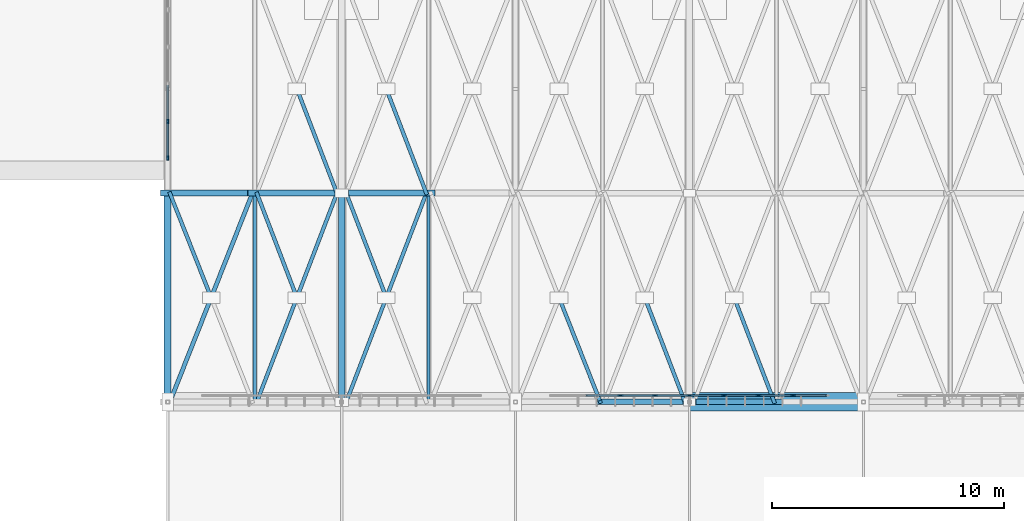
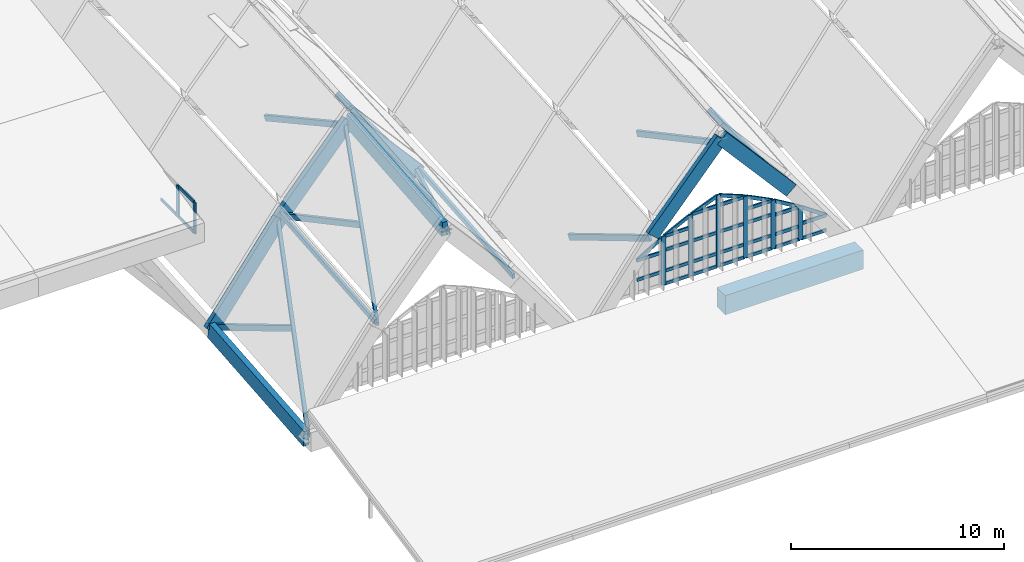
# One storey, part 24 of 93: 54 members, 8 beams, 2 elements without a shape of their own.
"""IFC4 building model written with IfcOpenShell, lengths in metres."""

from ifc_helpers import new_model, si_unit, direction, frame, origin, origin_2d, place, context, subcontext, project, spatial, rectangle, extrude, material, material_profile, profile_set, type_object, element, aggregate, save


model = new_model("IFC4")

# Units and contexts
model_context = context("Model", 3, precision=1e-05, world=origin(), true_north=direction((0.0, 1.0)))
body_context = subcontext(model_context, "Body", "Model", "MODEL_VIEW")
ifc_project = project(units=[si_unit("LENGTHUNIT", "METRE"), si_unit("AREAUNIT", "SQUARE_METRE"), si_unit("VOLUMEUNIT", "CUBIC_METRE"), si_unit("PLANEANGLEUNIT", "RADIAN"), si_unit("MASSUNIT", "GRAM", prefix="KILO")], contexts=[model_context])

# Site, building, storey
site_placement = place(None, origin())
site = spatial("IfcSite", under=ifc_project, at=site_placement, CompositionType="ELEMENT")
building_placement = place(site_placement, origin())
building = spatial("IfcBuilding", under=site, at=building_placement, Name="Vourika Railside Aquatics Centre", CompositionType="ELEMENT")
storey_placement = place(building_placement, frame((0.0, 0.0, 21.89990234375)))
storey = spatial("IfcBuildingStorey", under=building, at=storey_placement, Name="Roof", CompositionType="ELEMENT", Elevation=21.89990234375)

# Beams
ifc_material_1 = material(Name="Glulam GL32h", Category="wood")
ifc_material_profile_1 = material_profile(ifc_material_1, rectangle(XDim=0.239990234375, YDim=0.719970703125, at=origin_2d()), Name="GL32h 240x720")
ifc_profile_set_1 = profile_set([ifc_material_profile_1], Name="Glulam GL32h")
beam_type_1 = type_object("IfcBeamType", Name="BM-GL-ARCH-240x720", PredefinedType="BEAM", material=ifc_profile_set_1)
for number, where, z_axis, x_axis, name in (
    (1, (54.75, 12.0, -6.599853515625), (0.657258623263, 0.0, 0.75366511273), (0.0, 1.0, 0.0), "Pointed Glulam Vault Arch Rib GAR-0036"),
    (2, (58.5, 12.0, -2.2998046875), (0.657258623263, 0.0, -0.75366511273), (0.0, 1.0, 0.0), "Pointed Glulam Vault Arch Rib GAR-0037"),
):
    element("IfcBeam", number, at=place(storey_placement, frame(where, z_axis=z_axis, x_axis=x_axis)), inside=storey, type_object=beam_type_1, Name=name, PredefinedType="BEAM", context=body_context, shape_type="SweptSolid", body=[
        extrude(rectangle(XDim=0.239990234375, YDim=0.719970703125, at=origin_2d()), origin(), (0.0, 0.0, 1.0), 5.70556640625),
    ])
ifc_material_profile_2 = material_profile(ifc_material_1, rectangle(XDim=0.260009765625, YDim=0.760009765625, at=origin_2d()), Name="GL32h 260x760")
ifc_profile_set_2 = profile_set([ifc_material_profile_2], Name="Glulam GL32h")
beam_type_2 = type_object("IfcBeamType", Name="BM-GL-ARCH-260x760", PredefinedType="BEAM", material=ifc_profile_set_2)
beam_1_placement = place(storey_placement, frame((36.0, 21.0, -10.89990234375), z_axis=(0.592383087934, 0.0, 0.805656426233), x_axis=(0.0, 1.0, 0.0)))
element("IfcBeam", 3, at=beam_1_placement, inside=storey, type_object=beam_type_2, Name="Pointed Glulam Vault Arch Rib GAR-0005", PredefinedType="BEAM", context=body_context, shape_type="SweptSolid", body=[
    extrude(rectangle(XDim=0.260009765625, YDim=0.760009765625, at=origin_2d()), origin(), (0.0, 0.0, 1.0), 6.330322265625),
])
for number, where, z_axis, x_axis, name in (
    (4, (39.75, 21.0, -5.7998046875), (0.657279819973, 0.0, 0.753646626912), (0.0, 1.0, 0.0), "Pointed Glulam Vault Arch Rib GAR-0006"),
    (5, (43.5, 21.0, -1.5), (0.657279819973, 0.0, -0.753646626912), (0.0, 1.0, 0.0), "Pointed Glulam Vault Arch Rib GAR-0007"),
):
    element("IfcBeam", number, at=place(storey_placement, frame(where, z_axis=z_axis, x_axis=x_axis)), inside=storey, type_object=beam_type_2, Name=name, PredefinedType="BEAM", context=body_context, shape_type="SweptSolid", body=[
        extrude(rectangle(XDim=0.260009765625, YDim=0.760009765625, at=origin_2d()), origin(), (0.0, 0.0, 1.0), 5.705322265625),
    ])
ifc_material_profile_3 = material_profile(ifc_material_1, rectangle(XDim=0.280029296875, YDim=0.840087890625, at=origin_2d()), Name="GL32h 280x840")
ifc_profile_set_3 = profile_set([ifc_material_profile_3], Name="Glulam GL32h")
beam_type_3 = type_object("IfcBeamType", Name="BM-GL-RIDGE-280x840", PredefinedType="BEAM", material=ifc_profile_set_3)
beam_2_placement = place(storey_placement, frame((43.5, 12.0, -2.2998046875), z_axis=(0.0, 0.996074546839, 0.088518343518), x_axis=(-1.0, 0.0, 0.0)))
element("IfcBeam", 6, at=beam_2_placement, inside=storey, type_object=beam_type_3, Name="Vault Pointed Ridge Beam GRB-0029", PredefinedType="BEAM", context=body_context, shape_type="SweptSolid", body=[
    extrude(rectangle(XDim=0.280029296875, YDim=0.840087890625, at=origin_2d()), origin(), (0.0, 0.0, 1.0), 9.035400390625),
])
ifc_material_profile_4 = material_profile(ifc_material_1, rectangle(XDim=0.300048828125, YDim=0.89990234375, at=origin_2d()), Name="GL32h 300x900")
ifc_profile_set_4 = profile_set([ifc_material_profile_4], Name="Glulam GL32h")
beam_type_4 = type_object("IfcBeamType", Name="BM-GL-VAL-300x900", PredefinedType="BEAM", material=ifc_profile_set_4)
beam_3_placement = place(storey_placement, frame((36.0, 12.0, -11.699951171875), z_axis=(0.0, 0.996072164085, 0.088545151956), x_axis=(-1.0, 0.0, 0.0)))
element("IfcBeam", 7, at=beam_3_placement, inside=storey, type_object=beam_type_4, Name="Vault Valley Arch Rib VTR-001", PredefinedType="BEAM", context=body_context, shape_type="SweptSolid", body=[
    extrude(rectangle(XDim=0.300048828125, YDim=0.89990234375, at=origin_2d()), origin(), (0.0, 0.0, 1.0), 9.035400390625),
])
ifc_material_2 = material(Name="Concrete C40/50", Category="concrete")
ifc_material_profile_5 = material_profile(ifc_material_2, rectangle(XDim=0.800048828125, YDim=1.10009765625, at=origin_2d()), Name="RC 800x1100")
ifc_profile_set_5 = profile_set([ifc_material_profile_5], Name="Concrete C40/50")
beam_type_5 = type_object("IfcBeamType", Name="BM-RING-800x1100", PredefinedType="BEAM", material=ifc_profile_set_5)
beam_4_placement = place(storey_placement, frame((58.5, 12.0, -11.699951171875), z_axis=(1.0, 0.0, 0.0), x_axis=(0.0, 1.0, 0.0)))
element("IfcBeam", 8, at=beam_4_placement, inside=storey, type_object=beam_type_5, Name="Vault Springing Ring Beam S (58.5-66.0)", PredefinedType="BEAM", context=body_context, shape_type="SweptSolid", body=[
    extrude(rectangle(XDim=0.800048828125, YDim=1.10009765625, at=origin_2d()), origin(), (0.0, 0.0, 1.0), 7.5),
])

# Curtain wall, members
ifc_material_3 = material(Name="Anodized thermally broken aluminium", Category="aluminium")
curtain_wall_type_1 = type_object("IfcCurtainWallType", Name="CW-DIVEE", PredefinedType="NOTDEFINED", material=ifc_material_3)
curtain_wall_1_placement = place(storey_placement, origin())
curtain_wall_1 = element("IfcCurtainWall", 9, at=curtain_wall_1_placement, inside=storey, type_object=curtain_wall_type_1, Name="Diving Hall East Clerestory Curtain Wall 1", PredefinedType="NOTDEFINED")
ifc_material_4 = material(Name="Anodized aluminium mullion", Category="aluminium")
ifc_material_profile_6 = material_profile(ifc_material_4, rectangle(XDim=0.075927734375, YDim=0.205078125, at=origin_2d()), Name="ALU-M 76x205")
ifc_profile_set_6 = profile_set([ifc_material_profile_6], Name="Anodized aluminium mullion")
member_type_1 = type_object("IfcMemberType", Name="CWM-DIVEE", PredefinedType="MULLION", material=ifc_profile_set_6)
member_1_placement = place(storey_placement, frame((36.0, 22.51806640625, -6.2998046875), z_axis=(0.0, 0.0, 1.0), x_axis=(-1.0, 0.0, 0.0)))
member_1 = element("IfcMember", 10, at=member_1_placement, type_object=member_type_1, Name="CW06 mullion 1", PredefinedType="MULLION", context=body_context, shape_type="SweptSolid", body=[
    extrude(rectangle(XDim=0.075927734375, YDim=0.205078125, at=origin_2d()), origin(), (0.0, 0.0, 1.0), 1.7998046875),
])
member_2_placement = place(storey_placement, frame((36.0, 24.087890625, -6.2998046875), z_axis=(0.0, 0.0, 1.0), x_axis=(-1.0, 0.0, 0.0)))
member_2 = element("IfcMember", 11, at=member_2_placement, type_object=member_type_1, Name="CW06 mullion 2", PredefinedType="MULLION", context=body_context, shape_type="SweptSolid", body=[
    extrude(rectangle(XDim=0.075927734375, YDim=0.205078125, at=origin_2d()), origin(), (0.0, 0.0, 1.0), 1.7998046875),
])

curtain_wall_type_2 = type_object("IfcCurtainWallType", Name="CW-VLTS1", PredefinedType="NOTDEFINED", material=ifc_material_3)
curtain_wall_2_placement = place(storey_placement, origin())
curtain_wall_2 = element("IfcCurtainWall", 12, at=curtain_wall_2_placement, inside=storey, type_object=curtain_wall_type_2, Name="South Boulevard Pointed-Arch Clerestory Curtain Wall Bay 2", PredefinedType="NOTDEFINED")
ifc_material_profile_7 = material_profile(ifc_material_4, rectangle(XDim=0.08203125, YDim=0.235107421875, at=origin_2d()), Name="ALU-M 82x235")
ifc_profile_set_7 = profile_set([ifc_material_profile_7], Name="Anodized aluminium mullion")
member_type_2 = type_object("IfcMemberType", Name="CWM-VLTS1", PredefinedType="MULLION", material=ifc_profile_set_7)
member_3_placement = place(storey_placement, frame((55.52490234375, 12.280029296875, -9.8798828125), z_axis=(0.0, 0.0, 1.0), x_axis=(0.0, 1.0, 0.0)))
member_3 = element("IfcMember", 13, at=member_3_placement, type_object=member_type_2, Name="CW03 arch mullion 3", PredefinedType="MULLION", context=body_context, shape_type="SweptSolid", body=[
    extrude(rectangle(XDim=0.08203125, YDim=0.235107421875, at=origin_2d()), origin(), (0.0, 0.0, 1.0), 2.7890625),
])
member_4_placement = place(storey_placement, frame((57.012451171875, 12.280029296875, -9.8798828125), z_axis=(0.0, 0.0, 1.0), x_axis=(0.0, 1.0, 0.0)))
member_4 = element("IfcMember", 14, at=member_4_placement, type_object=member_type_2, Name="CW03 arch mullion 4", PredefinedType="MULLION", context=body_context, shape_type="SweptSolid", body=[
    extrude(rectangle(XDim=0.08203125, YDim=0.235107421875, at=origin_2d()), origin(), (0.0, 0.0, 1.0), 3.531005859375),
])
member_5_placement = place(storey_placement, frame((58.5, 12.280029296875, -9.8798828125), z_axis=(0.0, 0.0, 1.0), x_axis=(0.0, 1.0, 0.0)))
member_5 = element("IfcMember", 15, at=member_5_placement, type_object=member_type_2, Name="CW03 arch mullion 5", PredefinedType="MULLION", context=body_context, shape_type="SweptSolid", body=[
    extrude(rectangle(XDim=0.08203125, YDim=0.235107421875, at=origin_2d()), origin(), (0.0, 0.0, 1.0), 4.1298828125),
])
member_6_placement = place(storey_placement, frame((59.987548828125, 12.280029296875, -9.8798828125), z_axis=(0.0, 0.0, 1.0), x_axis=(0.0, 1.0, 0.0)))
member_6 = element("IfcMember", 16, at=member_6_placement, type_object=member_type_2, Name="CW03 arch mullion 6", PredefinedType="MULLION", context=body_context, shape_type="SweptSolid", body=[
    extrude(rectangle(XDim=0.08203125, YDim=0.235107421875, at=origin_2d()), origin(), (0.0, 0.0, 1.0), 3.531005859375),
])
member_7_placement = place(storey_placement, frame((61.47509765625, 12.280029296875, -9.8798828125), z_axis=(0.0, 0.0, 1.0), x_axis=(0.0, 1.0, 0.0)))
member_7 = element("IfcMember", 17, at=member_7_placement, type_object=member_type_2, Name="CW03 arch mullion 7", PredefinedType="MULLION", context=body_context, shape_type="SweptSolid", body=[
    extrude(rectangle(XDim=0.08203125, YDim=0.235107421875, at=origin_2d()), origin(), (0.0, 0.0, 1.0), 2.7890625),
])
member_8_placement = place(storey_placement, frame((62.96240234375, 12.280029296875, -9.8798828125), z_axis=(0.0, 0.0, 1.0), x_axis=(0.0, 1.0, 0.0)))
member_8 = element("IfcMember", 18, at=member_8_placement, type_object=member_type_2, Name="CW03 arch mullion 8", PredefinedType="MULLION", context=body_context, shape_type="SweptSolid", body=[
    extrude(rectangle(XDim=0.08203125, YDim=0.235107421875, at=origin_2d()), origin(), (0.0, 0.0, 1.0), 1.906005859375),
])

# Member
ifc_material_5 = material(Name="Anodized aluminium transom", Category="aluminium")
ifc_material_profile_8 = material_profile(ifc_material_5, rectangle(XDim=0.075927734375, YDim=0.162109375, at=origin_2d()), Name="ALU-T 76x162")
ifc_profile_set_8 = profile_set([ifc_material_profile_8], Name="Anodized aluminium transom")
member_type_3 = type_object("IfcMemberType", Name="CWT-DIVEE", PredefinedType="USERDEFINED", material=ifc_profile_set_8)
member_9_placement = place(storey_placement, frame((36.0, 22.555908203125, -6.261962890625), z_axis=(0.0, 1.0, 0.0), x_axis=(-1.0, 0.0, 0.0)))
member_9 = element("IfcMember", 19, at=member_9_placement, type_object=member_type_3, Name="CW06 transom 1.1", ObjectType="TRANSOM", PredefinedType="USERDEFINED", context=body_context, shape_type="SweptSolid", body=[
    extrude(rectangle(XDim=0.075927734375, YDim=0.162109375, at=origin_2d()), origin(), (0.0, 0.0, 1.0), 1.494140625),
])

member_10_placement = place(storey_placement, frame((36.0, 22.555908203125, -4.537841796875), z_axis=(0.0, 1.0, 0.0), x_axis=(-1.0, 0.0, 0.0)))
member_10 = element("IfcMember", 20, at=member_10_placement, type_object=member_type_3, Name="CW06 transom 1.2", ObjectType="TRANSOM", PredefinedType="USERDEFINED", context=body_context, shape_type="SweptSolid", body=[
    extrude(rectangle(XDim=0.075927734375, YDim=0.162109375, at=origin_2d()), origin(), (0.0, 0.0, 1.0), 1.494140625),
])

member_11_placement = place(storey_placement, frame((36.0, 24.1259765625, -6.261962890625), z_axis=(0.0, 1.0, 0.0), x_axis=(-1.0, 0.0, 0.0)))
member_11 = element("IfcMember", 21, at=member_11_placement, type_object=member_type_3, Name="CW06 transom 2.1", ObjectType="TRANSOM", PredefinedType="USERDEFINED", context=body_context, shape_type="SweptSolid", body=[
    extrude(rectangle(XDim=0.075927734375, YDim=0.162109375, at=origin_2d()), origin(), (0.0, 0.0, 1.0), 1.531982421875),
])

aggregate(curtain_wall_1, [member_1, member_2, member_9, member_10, member_11])

ifc_material_profile_9 = material_profile(ifc_material_5, rectangle(XDim=0.08203125, YDim=0.18505859375, at=origin_2d()), Name="ALU-T 82x185")
ifc_profile_set_9 = profile_set([ifc_material_profile_9], Name="Anodized aluminium transom")
member_type_4 = type_object("IfcMemberType", Name="CWT-VLTS1", PredefinedType="USERDEFINED", material=ifc_profile_set_9)
member_12_placement = place(storey_placement, frame((54.07861328125, 12.280029296875, -9.099853515625), z_axis=(1.0, 0.0, 0.0), x_axis=(0.0, 1.0, 0.0)))
member_12 = element("IfcMember", 22, at=member_12_placement, type_object=member_type_4, Name="CW03 transom 2.2", ObjectType="TRANSOM", PredefinedType="USERDEFINED", context=body_context, shape_type="SweptSolid", body=[
    extrude(rectangle(XDim=0.08203125, YDim=0.18505859375, at=origin_2d()), origin(), (0.0, 0.0, 1.0), 1.4052734375),
])

member_13_placement = place(storey_placement, frame((54.07861328125, 12.280029296875, -7.989013671875), z_axis=(1.0, 0.0, 0.0), x_axis=(0.0, 1.0, 0.0)))
member_13 = element("IfcMember", 23, at=member_13_placement, type_object=member_type_4, Name="CW03 transom 2.3", ObjectType="TRANSOM", PredefinedType="USERDEFINED", context=body_context, shape_type="SweptSolid", body=[
    extrude(rectangle(XDim=0.08203125, YDim=0.18505859375, at=origin_2d()), origin(), (0.0, 0.0, 1.0), 1.4052734375),
])

member_14_placement = place(storey_placement, frame((54.07861328125, 12.280029296875, -7.989013671875), z_axis=(0.859633394337, 0.0, 0.510911369359), x_axis=(0.0, 1.0, 0.0)))
member_14 = element("IfcMember", 24, at=member_14_placement, type_object=member_type_4, Name="CW03 arch chord transom 2", ObjectType="TRANSOM", PredefinedType="USERDEFINED", context=body_context, shape_type="SweptSolid", body=[
    extrude(rectangle(XDim=0.08203125, YDim=0.18505859375, at=origin_2d()), origin(), (0.0, 0.0, 1.0), 1.634765625),
])

member_15_placement = place(storey_placement, frame((55.56591796875, 12.280029296875, -9.8388671875), z_axis=(1.0, 0.0, 0.0), x_axis=(0.0, 1.0, 0.0)))
member_15 = element("IfcMember", 25, at=member_15_placement, type_object=member_type_4, Name="CW03 transom 3.1", ObjectType="TRANSOM", PredefinedType="USERDEFINED", context=body_context, shape_type="SweptSolid", body=[
    extrude(rectangle(XDim=0.08203125, YDim=0.18505859375, at=origin_2d()), origin(), (0.0, 0.0, 1.0), 1.405517578125),
])

member_16_placement = place(storey_placement, frame((55.56591796875, 12.280029296875, -9.099853515625), z_axis=(1.0, 0.0, 0.0), x_axis=(0.0, 1.0, 0.0)))
member_16 = element("IfcMember", 26, at=member_16_placement, type_object=member_type_4, Name="CW03 transom 3.2", ObjectType="TRANSOM", PredefinedType="USERDEFINED", context=body_context, shape_type="SweptSolid", body=[
    extrude(rectangle(XDim=0.08203125, YDim=0.18505859375, at=origin_2d()), origin(), (0.0, 0.0, 1.0), 1.405517578125),
])

member_17_placement = place(storey_placement, frame((55.56591796875, 12.280029296875, -7.89990234375), z_axis=(1.0, 0.0, 0.0), x_axis=(0.0, 1.0, 0.0)))
member_17 = element("IfcMember", 27, at=member_17_placement, type_object=member_type_4, Name="CW03 transom 3.3", ObjectType="TRANSOM", PredefinedType="USERDEFINED", context=body_context, shape_type="SweptSolid", body=[
    extrude(rectangle(XDim=0.08203125, YDim=0.18505859375, at=origin_2d()), origin(), (0.0, 0.0, 1.0), 1.405517578125),
])

member_18_placement = place(storey_placement, frame((55.56591796875, 12.280029296875, -7.10888671875), z_axis=(1.0, 0.0, 0.0), x_axis=(0.0, 1.0, 0.0)))
member_18 = element("IfcMember", 28, at=member_18_placement, type_object=member_type_4, Name="CW03 transom 3.4", ObjectType="TRANSOM", PredefinedType="USERDEFINED", context=body_context, shape_type="SweptSolid", body=[
    extrude(rectangle(XDim=0.08203125, YDim=0.18505859375, at=origin_2d()), origin(), (0.0, 0.0, 1.0), 1.405517578125),
])

member_19_placement = place(storey_placement, frame((55.56591796875, 12.280029296875, -7.10888671875), z_axis=(0.895141289392, 0.0, 0.445782538942), x_axis=(0.0, 1.0, 0.0)))
member_19 = element("IfcMember", 29, at=member_19_placement, type_object=member_type_4, Name="CW03 arch chord transom 3", ObjectType="TRANSOM", PredefinedType="USERDEFINED", context=body_context, shape_type="SweptSolid", body=[
    extrude(rectangle(XDim=0.08203125, YDim=0.18505859375, at=origin_2d()), origin(), (0.0, 0.0, 1.0), 1.570068359375),
])

member_20_placement = place(storey_placement, frame((57.053466796875, 12.280029296875, -9.8388671875), z_axis=(1.0, 0.0, 0.0), x_axis=(0.0, 1.0, 0.0)))
member_20 = element("IfcMember", 30, at=member_20_placement, type_object=member_type_4, Name="CW03 transom 4.1", ObjectType="TRANSOM", PredefinedType="USERDEFINED", context=body_context, shape_type="SweptSolid", body=[
    extrude(rectangle(XDim=0.08203125, YDim=0.18505859375, at=origin_2d()), origin(), (0.0, 0.0, 1.0), 1.405517578125),
])

member_21_placement = place(storey_placement, frame((57.053466796875, 12.280029296875, -9.099853515625), z_axis=(1.0, 0.0, 0.0), x_axis=(0.0, 1.0, 0.0)))
member_21 = element("IfcMember", 31, at=member_21_placement, type_object=member_type_4, Name="CW03 transom 4.2", ObjectType="TRANSOM", PredefinedType="USERDEFINED", context=body_context, shape_type="SweptSolid", body=[
    extrude(rectangle(XDim=0.08203125, YDim=0.18505859375, at=origin_2d()), origin(), (0.0, 0.0, 1.0), 1.405517578125),
])

member_22_placement = place(storey_placement, frame((57.053466796875, 12.280029296875, -7.89990234375), z_axis=(1.0, 0.0, 0.0), x_axis=(0.0, 1.0, 0.0)))
member_22 = element("IfcMember", 32, at=member_22_placement, type_object=member_type_4, Name="CW03 transom 4.3", ObjectType="TRANSOM", PredefinedType="USERDEFINED", context=body_context, shape_type="SweptSolid", body=[
    extrude(rectangle(XDim=0.08203125, YDim=0.18505859375, at=origin_2d()), origin(), (0.0, 0.0, 1.0), 1.405517578125),
])

member_23_placement = place(storey_placement, frame((57.053466796875, 12.280029296875, -6.371826171875), z_axis=(1.0, 0.0, 0.0), x_axis=(0.0, 1.0, 0.0)))
member_23 = element("IfcMember", 33, at=member_23_placement, type_object=member_type_4, Name="CW03 transom 4.4", ObjectType="TRANSOM", PredefinedType="USERDEFINED", context=body_context, shape_type="SweptSolid", body=[
    extrude(rectangle(XDim=0.08203125, YDim=0.18505859375, at=origin_2d()), origin(), (0.0, 0.0, 1.0), 1.405517578125),
])

member_24_placement = place(storey_placement, frame((57.053466796875, 12.280029296875, -6.371826171875), z_axis=(0.927629742849, 0.0, 0.373501084579), x_axis=(0.0, 1.0, 0.0)))
member_24 = element("IfcMember", 34, at=member_24_placement, type_object=member_type_4, Name="CW03 arch chord transom 4", ObjectType="TRANSOM", PredefinedType="USERDEFINED", context=body_context, shape_type="SweptSolid", body=[
    extrude(rectangle(XDim=0.08203125, YDim=0.18505859375, at=origin_2d()), origin(), (0.0, 0.0, 1.0), 1.51513671875),
])

member_25_placement = place(storey_placement, frame((58.541015625, 12.280029296875, -9.8388671875), z_axis=(1.0, 0.0, 0.0), x_axis=(0.0, 1.0, 0.0)))
member_25 = element("IfcMember", 35, at=member_25_placement, type_object=member_type_4, Name="CW03 transom 5.1", ObjectType="TRANSOM", PredefinedType="USERDEFINED", context=body_context, shape_type="SweptSolid", body=[
    extrude(rectangle(XDim=0.08203125, YDim=0.18505859375, at=origin_2d()), origin(), (0.0, 0.0, 1.0), 1.405517578125),
])

member_26_placement = place(storey_placement, frame((58.541015625, 12.280029296875, -9.099853515625), z_axis=(1.0, 0.0, 0.0), x_axis=(0.0, 1.0, 0.0)))
member_26 = element("IfcMember", 36, at=member_26_placement, type_object=member_type_4, Name="CW03 transom 5.2", ObjectType="TRANSOM", PredefinedType="USERDEFINED", context=body_context, shape_type="SweptSolid", body=[
    extrude(rectangle(XDim=0.08203125, YDim=0.18505859375, at=origin_2d()), origin(), (0.0, 0.0, 1.0), 1.405517578125),
])

member_27_placement = place(storey_placement, frame((58.541015625, 12.280029296875, -7.89990234375), z_axis=(1.0, 0.0, 0.0), x_axis=(0.0, 1.0, 0.0)))
member_27 = element("IfcMember", 37, at=member_27_placement, type_object=member_type_4, Name="CW03 transom 5.3", ObjectType="TRANSOM", PredefinedType="USERDEFINED", context=body_context, shape_type="SweptSolid", body=[
    extrude(rectangle(XDim=0.08203125, YDim=0.18505859375, at=origin_2d()), origin(), (0.0, 0.0, 1.0), 1.405517578125),
])

member_28_placement = place(storey_placement, frame((58.541015625, 12.280029296875, -6.371826171875), z_axis=(1.0, 0.0, 0.0), x_axis=(0.0, 1.0, 0.0)))
member_28 = element("IfcMember", 38, at=member_28_placement, type_object=member_type_4, Name="CW03 transom 5.4", ObjectType="TRANSOM", PredefinedType="USERDEFINED", context=body_context, shape_type="SweptSolid", body=[
    extrude(rectangle(XDim=0.08203125, YDim=0.18505859375, at=origin_2d()), origin(), (0.0, 0.0, 1.0), 1.405517578125),
])

member_29_placement = place(storey_placement, frame((58.541015625, 12.280029296875, -5.805908203125), z_axis=(0.927629742849, 0.0, -0.373501084579), x_axis=(0.0, 1.0, 0.0)))
member_29 = element("IfcMember", 39, at=member_29_placement, type_object=member_type_4, Name="CW03 arch chord transom 5", ObjectType="TRANSOM", PredefinedType="USERDEFINED", context=body_context, shape_type="SweptSolid", body=[
    extrude(rectangle(XDim=0.08203125, YDim=0.18505859375, at=origin_2d()), origin(), (0.0, 0.0, 1.0), 1.51513671875),
])

member_30_placement = place(storey_placement, frame((60.028564453125, 12.280029296875, -9.8388671875), z_axis=(1.0, 0.0, 0.0), x_axis=(0.0, 1.0, 0.0)))
member_30 = element("IfcMember", 40, at=member_30_placement, type_object=member_type_4, Name="CW03 transom 6.1", ObjectType="TRANSOM", PredefinedType="USERDEFINED", context=body_context, shape_type="SweptSolid", body=[
    extrude(rectangle(XDim=0.08203125, YDim=0.18505859375, at=origin_2d()), origin(), (0.0, 0.0, 1.0), 1.405517578125),
])

member_31_placement = place(storey_placement, frame((60.028564453125, 12.280029296875, -9.099853515625), z_axis=(1.0, 0.0, 0.0), x_axis=(0.0, 1.0, 0.0)))
member_31 = element("IfcMember", 41, at=member_31_placement, type_object=member_type_4, Name="CW03 transom 6.2", ObjectType="TRANSOM", PredefinedType="USERDEFINED", context=body_context, shape_type="SweptSolid", body=[
    extrude(rectangle(XDim=0.08203125, YDim=0.18505859375, at=origin_2d()), origin(), (0.0, 0.0, 1.0), 1.405517578125),
])

member_32_placement = place(storey_placement, frame((60.028564453125, 12.280029296875, -7.89990234375), z_axis=(1.0, 0.0, 0.0), x_axis=(0.0, 1.0, 0.0)))
member_32 = element("IfcMember", 42, at=member_32_placement, type_object=member_type_4, Name="CW03 transom 6.3", ObjectType="TRANSOM", PredefinedType="USERDEFINED", context=body_context, shape_type="SweptSolid", body=[
    extrude(rectangle(XDim=0.08203125, YDim=0.18505859375, at=origin_2d()), origin(), (0.0, 0.0, 1.0), 1.405517578125),
])

member_33_placement = place(storey_placement, frame((60.028564453125, 12.280029296875, -7.10888671875), z_axis=(1.0, 0.0, 0.0), x_axis=(0.0, 1.0, 0.0)))
member_33 = element("IfcMember", 43, at=member_33_placement, type_object=member_type_4, Name="CW03 transom 6.4", ObjectType="TRANSOM", PredefinedType="USERDEFINED", context=body_context, shape_type="SweptSolid", body=[
    extrude(rectangle(XDim=0.08203125, YDim=0.18505859375, at=origin_2d()), origin(), (0.0, 0.0, 1.0), 1.405517578125),
])

member_34_placement = place(storey_placement, frame((60.028564453125, 12.280029296875, -6.408935546875), z_axis=(0.895141289392, 0.0, -0.445782538942), x_axis=(0.0, 1.0, 0.0)))
member_34 = element("IfcMember", 44, at=member_34_placement, type_object=member_type_4, Name="CW03 arch chord transom 6", ObjectType="TRANSOM", PredefinedType="USERDEFINED", context=body_context, shape_type="SweptSolid", body=[
    extrude(rectangle(XDim=0.08203125, YDim=0.18505859375, at=origin_2d()), origin(), (0.0, 0.0, 1.0), 1.570068359375),
])

member_35_placement = place(storey_placement, frame((61.51611328125, 12.280029296875, -9.8388671875), z_axis=(1.0, 0.0, 0.0), x_axis=(0.0, 1.0, 0.0)))
member_35 = element("IfcMember", 45, at=member_35_placement, type_object=member_type_4, Name="CW03 transom 7.1", ObjectType="TRANSOM", PredefinedType="USERDEFINED", context=body_context, shape_type="SweptSolid", body=[
    extrude(rectangle(XDim=0.08203125, YDim=0.18505859375, at=origin_2d()), origin(), (0.0, 0.0, 1.0), 1.4052734375),
])

member_36_placement = place(storey_placement, frame((61.51611328125, 12.280029296875, -9.099853515625), z_axis=(1.0, 0.0, 0.0), x_axis=(0.0, 1.0, 0.0)))
member_36 = element("IfcMember", 46, at=member_36_placement, type_object=member_type_4, Name="CW03 transom 7.2", ObjectType="TRANSOM", PredefinedType="USERDEFINED", context=body_context, shape_type="SweptSolid", body=[
    extrude(rectangle(XDim=0.08203125, YDim=0.18505859375, at=origin_2d()), origin(), (0.0, 0.0, 1.0), 1.4052734375),
])

member_37_placement = place(storey_placement, frame((61.51611328125, 12.280029296875, -7.989013671875), z_axis=(1.0, 0.0, 0.0), x_axis=(0.0, 1.0, 0.0)))
member_37 = element("IfcMember", 47, at=member_37_placement, type_object=member_type_4, Name="CW03 transom 7.3", ObjectType="TRANSOM", PredefinedType="USERDEFINED", context=body_context, shape_type="SweptSolid", body=[
    extrude(rectangle(XDim=0.08203125, YDim=0.18505859375, at=origin_2d()), origin(), (0.0, 0.0, 1.0), 1.4052734375),
])

member_38_placement = place(storey_placement, frame((61.51611328125, 12.280029296875, -7.15380859375), z_axis=(0.859633394337, 0.0, -0.510911369359), x_axis=(0.0, 1.0, 0.0)))
member_38 = element("IfcMember", 48, at=member_38_placement, type_object=member_type_4, Name="CW03 arch chord transom 7", ObjectType="TRANSOM", PredefinedType="USERDEFINED", context=body_context, shape_type="SweptSolid", body=[
    extrude(rectangle(XDim=0.08203125, YDim=0.18505859375, at=origin_2d()), origin(), (0.0, 0.0, 1.0), 1.634765625),
])

member_39_placement = place(storey_placement, frame((63.00341796875, 12.280029296875, -9.8388671875), z_axis=(1.0, 0.0, 0.0), x_axis=(0.0, 1.0, 0.0)))
member_39 = element("IfcMember", 49, at=member_39_placement, type_object=member_type_4, Name="CW03 transom 8.1", ObjectType="TRANSOM", PredefinedType="USERDEFINED", context=body_context, shape_type="SweptSolid", body=[
    extrude(rectangle(XDim=0.08203125, YDim=0.18505859375, at=origin_2d()), origin(), (0.0, 0.0, 1.0), 1.364501953125),
])

member_40_placement = place(storey_placement, frame((63.00341796875, 12.280029296875, -8.98095703125), z_axis=(1.0, 0.0, 0.0), x_axis=(0.0, 1.0, 0.0)))
member_40 = element("IfcMember", 50, at=member_40_placement, type_object=member_type_4, Name="CW03 transom 8.2", ObjectType="TRANSOM", PredefinedType="USERDEFINED", context=body_context, shape_type="SweptSolid", body=[
    extrude(rectangle(XDim=0.08203125, YDim=0.18505859375, at=origin_2d()), origin(), (0.0, 0.0, 1.0), 1.364501953125),
])

member_41_placement = place(storey_placement, frame((63.00341796875, 12.280029296875, -8.0419921875), z_axis=(0.823796708212, 0.0, -0.566885335442), x_axis=(0.0, 1.0, 0.0)))
member_41 = element("IfcMember", 51, at=member_41_placement, type_object=member_type_4, Name="CW03 arch chord transom 8", ObjectType="TRANSOM", PredefinedType="USERDEFINED", context=body_context, shape_type="SweptSolid", body=[
    extrude(rectangle(XDim=0.08203125, YDim=0.18505859375, at=origin_2d()), origin(), (0.0, 0.0, 1.0), 1.65625),
])

aggregate(curtain_wall_2, [member_3, member_4, member_5, member_6, member_7, member_8, member_12, member_13, member_14, member_15, member_16, member_17, member_18, member_19, member_20, member_21, member_22, member_23, member_24, member_25, member_26, member_27, member_28, member_29, member_30, member_31, member_32, member_33, member_34, member_35, member_36, member_37, member_38, member_39, member_40, member_41])

# Members
ifc_material_6 = material(Name="Glulam GL28h", Category="wood")
ifc_material_profile_10 = material_profile(ifc_material_6, rectangle(XDim=0.179931640625, YDim=0.360107421875, at=origin_2d()), Name="GL28h 180x360")
ifc_profile_set_10 = profile_set([ifc_material_profile_10], Name="Glulam GL28h")
member_type_5 = type_object("IfcMemberType", Name="MEM-GL-LATH1", PredefinedType="BRACE", material=ifc_profile_set_10)
member_42_placement = place(storey_placement, frame((36.094970703125, 12.0, -11.56201171875), z_axis=(0.318017835503, 0.80396444164, 0.502499584956), x_axis=(-0.929892910811, 0.367830360933, 0.0)))
element("IfcMember", 52, at=member_42_placement, inside=storey, type_object=member_type_5, Name="Gridshell Continuous Diagonal Lath GLA-0003", PredefinedType="BRACE", context=body_context, shape_type="SweptSolid", body=[
    extrude(rectangle(XDim=0.179931640625, YDim=0.360107421875, at=origin_2d()), origin(), (0.0, 0.0, 1.0), 11.194580078125),
])
ifc_material_profile_11 = material_profile(ifc_material_6, rectangle(XDim=0.159912109375, YDim=0.320068359375, at=origin_2d()), Name="GL28h 160x320")
ifc_profile_set_11 = profile_set([ifc_material_profile_11], Name="Glulam GL28h")
member_type_6 = type_object("IfcMemberType", Name="MEM-GL-LATH2", PredefinedType="BRACE", material=ifc_profile_set_11)
member_43_placement = place(storey_placement, frame((37.875, 16.5, -8.74951171875), z_axis=(-0.339225125603, 0.857577494874, -0.386635686979), x_axis=(-0.929892910811, -0.367830360933, 0.0)))
element("IfcMember", 53, at=member_43_placement, inside=storey, type_object=member_type_6, Name="Gridshell Split Counter Lath GLB2-0004", PredefinedType="BRACE", context=body_context, shape_type="SweptSolid", body=[
    extrude(rectangle(XDim=0.159912109375, YDim=0.320068359375, at=origin_2d()), origin(), (0.0, 0.0, 1.0), 5.247314453125),
])
member_44_placement = place(storey_placement, frame((39.844970703125, 12.0, -6.482177734375), z_axis=(0.321550791273, 0.837595277664, 0.441632471028), x_axis=(-0.933569951957, 0.358395235463, 0.0)))
element("IfcMember", 54, at=member_44_placement, inside=storey, type_object=member_type_6, Name="Gridshell Continuous Diagonal Lath GLA-0005", PredefinedType="BRACE", context=body_context, shape_type="SweptSolid", body=[
    extrude(rectangle(XDim=0.159912109375, YDim=0.320068359375, at=origin_2d()), origin(), (0.0, 0.0, 1.0), 10.7451171875),
])
member_45_placement = place(storey_placement, frame((41.572509765625, 16.5, -4.109619140625), z_axis=(-0.340380210662, 0.886643307367, -0.313057435131), x_axis=(-0.933569951957, -0.358395235463, 0.0)))
element("IfcMember", 55, at=member_45_placement, inside=storey, type_object=member_type_6, Name="Gridshell Split Counter Lath GLB2-0006", PredefinedType="BRACE", context=body_context, shape_type="SweptSolid", body=[
    extrude(rectangle(XDim=0.159912109375, YDim=0.320068359375, at=origin_2d()), origin(), (0.0, 0.0, 1.0), 5.075439453125),
])
member_46_placement = place(storey_placement, frame((43.699951171875, 12.0, -2.5205078125), z_axis=(0.340377647674, 0.886636631138, -0.313079129436), x_axis=(-0.933569951957, 0.358395235463, 0.0)))
element("IfcMember", 56, at=member_46_placement, inside=storey, type_object=member_type_6, Name="Gridshell Continuous Diagonal Lath GLA-0007", PredefinedType="BRACE", context=body_context, shape_type="SweptSolid", body=[
    extrude(rectangle(XDim=0.159912109375, YDim=0.320068359375, at=origin_2d()), origin(), (0.0, 0.0, 1.0), 10.150634765625),
])
member_47_placement = place(storey_placement, frame((45.427490234375, 16.5, -4.109619140625), z_axis=(-0.32154756466, 0.837586872782, 0.441650760448), x_axis=(-0.933569951957, -0.358395235463, 0.0)))
element("IfcMember", 57, at=member_47_placement, inside=storey, type_object=member_type_6, Name="Gridshell Split Counter Lath GLB2-0008", PredefinedType="BRACE", context=body_context, shape_type="SweptSolid", body=[
    extrude(rectangle(XDim=0.159912109375, YDim=0.320068359375, at=origin_2d()), origin(), (0.0, 0.0, 1.0), 5.37255859375),
])
member_48_placement = place(storey_placement, frame((43.300048828125, 21.0, -1.7216796875), z_axis=(-0.338120523205, 0.8807571345, -0.331574097021), x_axis=(-0.933569951957, -0.358395235463, 0.0)))
element("IfcMember", 58, at=member_48_placement, inside=storey, type_object=member_type_6, Name="Gridshell Split Counter Lath GLB1-0014", PredefinedType="BRACE", context=body_context, shape_type="SweptSolid", body=[
    extrude(rectangle(XDim=0.159912109375, YDim=0.320068359375, at=origin_2d()), origin(), (0.0, 0.0, 1.0), 5.109130859375),
])
member_49_placement = place(storey_placement, frame((47.155029296875, 21.0, -5.683349609375), z_axis=(-0.324302263056, 0.84476248059, 0.425681093735), x_axis=(-0.933569951957, -0.358395235463, 0.0)))
element("IfcMember", 59, at=member_49_placement, inside=storey, type_object=member_type_6, Name="Gridshell Split Counter Lath GLB1-0016", PredefinedType="BRACE", context=body_context, shape_type="SweptSolid", body=[
    extrude(rectangle(XDim=0.159912109375, YDim=0.320068359375, at=origin_2d()), origin(), (0.0, 0.0, 1.0), 5.326904296875),
])
member_50_placement = place(storey_placement, frame((54.655029296875, 12.0, -6.72021484375), z_axis=(-0.339212920269, 0.857546639199, -0.386714825576), x_axis=(-0.929892910811, -0.367830360933, 0.0)))
element("IfcMember", 60, at=member_50_placement, inside=storey, type_object=member_type_6, Name="Gridshell Split Counter Lath GLB1-0054", PredefinedType="BRACE", context=body_context, shape_type="SweptSolid", body=[
    extrude(rectangle(XDim=0.159912109375, YDim=0.320068359375, at=origin_2d()), origin(), (0.0, 0.0, 1.0), 5.24755859375),
])
member_51_placement = place(storey_placement, frame((58.300048828125, 12.0, -2.5205078125), z_axis=(-0.340375084547, 0.886629954547, -0.31310082325), x_axis=(-0.933569951957, -0.358395235463, 0.0)))
element("IfcMember", 61, at=member_51_placement, inside=storey, type_object=member_type_6, Name="Gridshell Split Counter Lath GLB1-0056", PredefinedType="BRACE", context=body_context, shape_type="SweptSolid", body=[
    extrude(rectangle(XDim=0.159912109375, YDim=0.320068359375, at=origin_2d()), origin(), (0.0, 0.0, 1.0), 5.075439453125),
])
member_52_placement = place(storey_placement, frame((62.155029296875, 12.0, -6.482177734375), z_axis=(-0.321554017818, 0.837603682367, 0.441614181057), x_axis=(-0.933569951957, -0.358395235463, 0.0)))
element("IfcMember", 62, at=member_52_placement, inside=storey, type_object=member_type_6, Name="Gridshell Split Counter Lath GLB1-0058", PredefinedType="BRACE", context=body_context, shape_type="SweptSolid", body=[
    extrude(rectangle(XDim=0.159912109375, YDim=0.320068359375, at=origin_2d()), origin(), (0.0, 0.0, 1.0), 5.37255859375),
])
ifc_material_profile_12 = material_profile(ifc_material_6, rectangle(XDim=0.139892578125, YDim=0.280029296875, at=origin_2d()), Name="GL28h 140x280")
ifc_profile_set_12 = profile_set([ifc_material_profile_12], Name="Glulam GL28h")
member_type_7 = type_object("IfcMemberType", Name="MEM-GL-PURLIN", PredefinedType="PURLIN", material=ifc_profile_set_12)
for number, where, z_axis, x_axis, name in (
    (63, (39.75, 12.0, -6.329833984375), (0.0, 0.996072164085, 0.088545151956), (-1.0, 0.0, 0.0), "Vault Timber Purlin GTP-0001"),
    (64, (47.25, 12.0, -6.329833984375), (0.0, 0.996072164085, 0.088545151956), (-1.0, 0.0, 0.0), "Vault Timber Purlin GTP-0002"),
):
    element("IfcMember", number, at=place(storey_placement, frame(where, z_axis=z_axis, x_axis=x_axis)), inside=storey, type_object=member_type_7, Name=name, PredefinedType="PURLIN", context=body_context, shape_type="SweptSolid", body=[
        extrude(rectangle(XDim=0.139892578125, YDim=0.280029296875, at=origin_2d()), origin(), (0.0, 0.0, 1.0), 9.035400390625),
    ])

save(model, "model.ifc")
